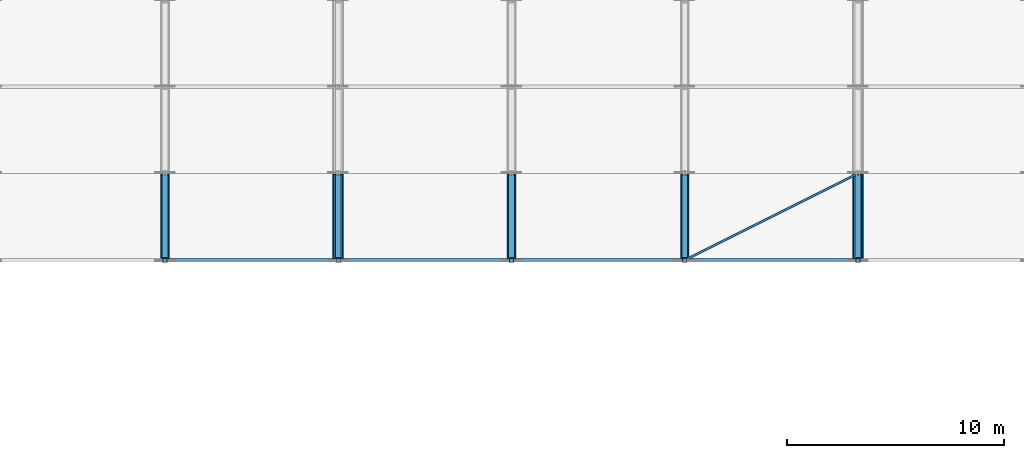
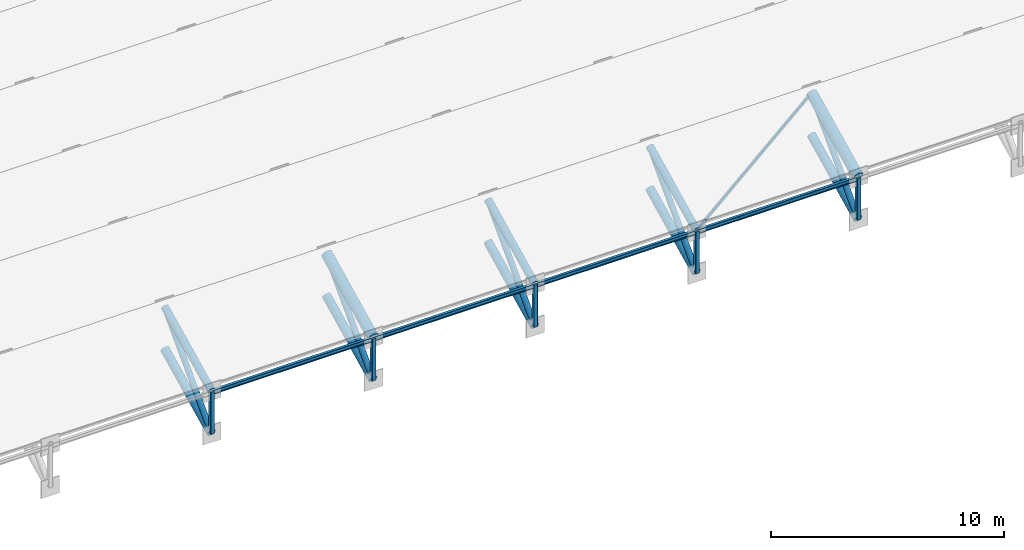
# One storey, part 5 of 98: 25 members.
"""IFC4 building model written with IfcOpenShell, lengths in metres."""

from ifc_helpers import new_model, si_unit, direction, frame, origin, origin_2d, place, context, subcontext, project, spatial, hollow_rectangle, hollow_circle, i_section, extrude, material, material_profile, profile_set, type_object, element, save


model = new_model("IFC4")

# Units and contexts
model_context = context("Model", 3, precision=1e-05, world=origin(), true_north=direction((0.0, 1.0)))
body_context = subcontext(model_context, "Body", "Model", "MODEL_VIEW")
ifc_project = project(units=[si_unit("LENGTHUNIT", "METRE"), si_unit("AREAUNIT", "SQUARE_METRE"), si_unit("VOLUMEUNIT", "CUBIC_METRE"), si_unit("PLANEANGLEUNIT", "RADIAN"), si_unit("MASSUNIT", "GRAM", prefix="KILO")], contexts=[model_context])

# Site, building, storey
site_placement = place(None, origin())
site = spatial("IfcSite", under=ifc_project, at=site_placement, CompositionType="ELEMENT")
building_placement = place(site_placement, origin())
building = spatial("IfcBuilding", under=site, at=building_placement, Name="Tlacozan Convention Centre", CompositionType="ELEMENT")
storey_placement = place(building_placement, frame((0.0, 0.0, 25.800048828125)))
storey = spatial("IfcBuildingStorey", under=building, at=storey_placement, Name="Roof", CompositionType="ELEMENT", Elevation=25.800048828125)

# Members
ifc_material_1 = material(Name="Steel ASTM A500 Grade C", Category="steel")
ifc_material_profile_1 = material_profile(ifc_material_1, hollow_circle(Radius=0.203125, WallThickness=0.015869140625, at=origin_2d()), Name="OC 406.4x15.9")
ifc_profile_set_1 = profile_set([ifc_material_profile_1], Name="Steel ASTM A500 Grade C")
member_type_1 = type_object("IfcMemberType", Name="Arch Bottom Chord OC 406.4x15.9", PredefinedType="CHORD", material=ifc_profile_set_1)
for number, where, z_axis, x_axis, name in (
    (1, (64.0, 62.0, -12.800048828125), (0.0, 0.897300183135, 0.441420866459), (-1.0, 0.0, 0.0), "V2A Roof Truss 9 Bottom Chord 1"),
    (2, (72.0, 62.0, -12.800048828125), (0.0, 0.897300183135, 0.441420866459), (-1.0, 0.0, 0.0), "V2A Roof Truss 10 Bottom Chord 1"),
    (3, (80.0, 62.0, -12.800048828125), (0.0, 0.897300183135, 0.441420866459), (-1.0, 0.0, 0.0), "V2A Roof Truss 11 Bottom Chord 1"),
    (4, (88.0, 62.0, -12.800048828125), (0.0, 0.897300183135, 0.441420866459), (-1.0, 0.0, 0.0), "V2A Roof Truss 12 Bottom Chord 1"),
    (5, (96.0, 62.0, -12.800048828125), (0.0, 0.897300183135, 0.441420866459), (-1.0, 0.0, 0.0), "V2A Roof Truss 13 Bottom Chord 1"),
):
    element("IfcMember", number, at=place(storey_placement, frame(where, z_axis=z_axis, x_axis=x_axis)), inside=storey, type_object=member_type_1, Name=name, PredefinedType="CHORD", context=body_context, shape_type="SweptSolid", body=[
        extrude(hollow_circle(Radius=0.203125, WallThickness=0.015869140625, at=origin_2d()), origin(), (0.0, 0.0, 1.0), 4.457763671875),
    ])
ifc_material_profile_2 = material_profile(ifc_material_1, hollow_circle(Radius=0.25390625, WallThickness=0.01904296875, at=origin_2d()), Name="OC 508.0x19.1")
ifc_profile_set_2 = profile_set([ifc_material_profile_2], Name="Steel ASTM A500 Grade C")
member_type_2 = type_object("IfcMemberType", Name="Arch Top Chord OC 508x19.1", PredefinedType="CHORD", material=ifc_profile_set_2)
for number, where, z_axis, x_axis, name in (
    (6, (72.0, 62.0, -10.60009765625), (0.0, 0.897300183135, 0.441420866459), (-1.0, 0.0, 0.0), "V2A Roof Truss 10 Top Chord 1"),
    (7, (96.0, 62.0, -10.60009765625), (0.0, 0.897300183135, 0.441420866459), (-1.0, 0.0, 0.0), "V2A Roof Truss 13 Top Chord 1"),
):
    element("IfcMember", number, at=place(storey_placement, frame(where, z_axis=z_axis, x_axis=x_axis)), inside=storey, type_object=member_type_2, Name=name, PredefinedType="CHORD", context=body_context, shape_type="SweptSolid", body=[
        extrude(hollow_circle(Radius=0.25390625, WallThickness=0.01904296875, at=origin_2d()), origin(), (0.0, 0.0, 1.0), 4.457763671875),
    ])
ifc_material_profile_3 = material_profile(ifc_material_1, hollow_circle(Radius=0.136474609375, WallThickness=0.0126953125, at=origin_2d()), Name="OC 273.1x12.7")
ifc_profile_set_3 = profile_set([ifc_material_profile_3], Name="Steel ASTM A500 Grade C")
member_type_3 = type_object("IfcMemberType", Name="Arch Web Diagonal OC 273.1x12.7", PredefinedType="BRACE", material=ifc_profile_set_3)
for number, where, z_axis, x_axis, name in (
    (8, (64.0, 62.0, -12.800048828125), (0.0, 0.69244032859, 0.721475149497), (-1.0, 0.0, 0.0), "V2A Roof Truss 9 Web Diagonal 1"),
    (9, (72.0, 62.0, -12.800048828125), (0.0, 0.69244032859, 0.721475149497), (-1.0, 0.0, 0.0), "V2A Roof Truss 10 Web Diagonal 1"),
    (10, (80.0, 62.0, -12.800048828125), (0.0, 0.69244032859, 0.721475149497), (-1.0, 0.0, 0.0), "V2A Roof Truss 11 Web Diagonal 1"),
    (11, (88.0, 62.0, -12.800048828125), (0.0, 0.69244032859, 0.721475149497), (-1.0, 0.0, 0.0), "V2A Roof Truss 12 Web Diagonal 1"),
    (12, (96.0, 62.0, -12.800048828125), (0.0, 0.69244032859, 0.721475149497), (-1.0, 0.0, 0.0), "V2A Roof Truss 13 Web Diagonal 1"),
):
    element("IfcMember", number, at=place(storey_placement, frame(where, z_axis=z_axis, x_axis=x_axis)), inside=storey, type_object=member_type_3, Name=name, PredefinedType="BRACE", context=body_context, shape_type="SweptSolid", body=[
        extrude(hollow_circle(Radius=0.136474609375, WallThickness=0.0126953125, at=origin_2d()), origin(), (0.0, 0.0, 1.0), 5.776611328125),
    ])
ifc_material_profile_4 = material_profile(ifc_material_1, hollow_rectangle(XDim=0.203125, YDim=0.203125, WallThickness=0.0126953125, InnerFilletRadius=0.0126953125, OuterFilletRadius=0.02490234375, at=origin_2d()), Name="OR 203x203x12.7")
ifc_profile_set_4 = profile_set([ifc_material_profile_4], Name="Steel ASTM A500 Grade C")
member_type_4 = type_object("IfcMemberType", Name="Arch Web Strut OR 203x203x12.7", PredefinedType="STRUT", material=ifc_profile_set_4)
for number, where, z_axis, x_axis, name in (
    (13, (64.0, 62.0, -12.800048828125), (0.0, 0.0, 1.0), (1.0, 0.0, 0.0), "V2A Roof Truss 9 Vertical Strut 1"),
    (14, (72.0, 62.0, -12.800048828125), (0.0, 0.0, 1.0), (1.0, 0.0, 0.0), "V2A Roof Truss 10 Vertical Strut 1"),
    (15, (80.0, 62.0, -12.800048828125), (0.0, 0.0, 1.0), (1.0, 0.0, 0.0), "V2A Roof Truss 11 Vertical Strut 1"),
    (16, (88.0, 62.0, -12.800048828125), (0.0, 0.0, 1.0), (1.0, 0.0, 0.0), "V2A Roof Truss 12 Vertical Strut 1"),
    (17, (96.0, 62.0, -12.800048828125), (0.0, 0.0, 1.0), (1.0, 0.0, 0.0), "V2A Roof Truss 13 Vertical Strut 1"),
):
    element("IfcMember", number, at=place(storey_placement, frame(where, z_axis=z_axis, x_axis=x_axis)), inside=storey, type_object=member_type_4, Name=name, PredefinedType="STRUT", context=body_context, shape_type="SweptSolid", body=[
        extrude(hollow_rectangle(XDim=0.203125, YDim=0.203125, WallThickness=0.0126953125, InnerFilletRadius=0.0126953125, OuterFilletRadius=0.02490234375, at=origin_2d()), origin(), (0.0, 0.0, 1.0), 2.199951171875),
    ])
ifc_material_profile_5 = material_profile(ifc_material_1, hollow_rectangle(XDim=0.1015625, YDim=0.15234375, WallThickness=0.009521484375, InnerFilletRadius=0.009521484375, OuterFilletRadius=0.01904296875, at=origin_2d()), Name="OR 152x102x9.5")
ifc_profile_set_5 = profile_set([ifc_material_profile_5], Name="Steel ASTM A500 Grade C")
member_type_5 = type_object("IfcMemberType", Name="Roof Plan Brace OR 152x102x9.5", PredefinedType="BRACE", material=ifc_profile_set_5)
member_placement = place(storey_placement, frame((88.0, 62.0, -10.60009765625), z_axis=(0.873536677994, 0.436768338997, 0.214865283955), x_axis=(-0.4472135955, 0.894427191, 0.0)))
element("IfcMember", 18, at=member_placement, inside=storey, type_object=member_type_5, Name="V2A Roof Truss Plan Brace 12.1", PredefinedType="BRACE", context=body_context, shape_type="SweptSolid", body=[
    extrude(hollow_rectangle(XDim=0.1015625, YDim=0.15234375, WallThickness=0.009521484375, InnerFilletRadius=0.009521484375, OuterFilletRadius=0.01904296875, at=origin_2d()), origin(), (0.0, 0.0, 1.0), 9.158203125),
])
ifc_material_profile_6 = material_profile(ifc_material_1, hollow_circle(Radius=0.177734375, WallThickness=0.015869140625, at=origin_2d()), Name="OC 355.6x15.9")
ifc_profile_set_6 = profile_set([ifc_material_profile_6], Name="Steel ASTM A500 Grade C")
member_type_6 = type_object("IfcMemberType", Name="Secondary Arch Chord OC 355.6x15.9", PredefinedType="CHORD", material=ifc_profile_set_6)
for number, where, z_axis, x_axis, name in (
    (19, (64.0, 62.0, -10.60009765625), (0.0, 0.897300183135, 0.441420866459), (-1.0, 0.0, 0.0), "V2A Roof Truss 9 Top Chord 1"),
    (20, (80.0, 62.0, -10.60009765625), (0.0, 0.897300183135, 0.441420866459), (-1.0, 0.0, 0.0), "V2A Roof Truss 11 Top Chord 1"),
    (21, (88.0, 62.0, -10.60009765625), (0.0, 0.897300183135, 0.441420866459), (-1.0, 0.0, 0.0), "V2A Roof Truss 12 Top Chord 1"),
):
    element("IfcMember", number, at=place(storey_placement, frame(where, z_axis=z_axis, x_axis=x_axis)), inside=storey, type_object=member_type_6, Name=name, PredefinedType="CHORD", context=body_context, shape_type="SweptSolid", body=[
        extrude(hollow_circle(Radius=0.177734375, WallThickness=0.015869140625, at=origin_2d()), origin(), (0.0, 0.0, 1.0), 4.457763671875),
    ])
ifc_material_2 = material(Name="Steel ASTM A992 Grade 50", Category="steel")
ifc_material_profile_7 = material_profile(ifc_material_2, i_section(OverallWidth=0.134033203125, OverallDepth=0.2099609375, WebThickness=0.00634765625, FlangeThickness=0.01025390625, FilletRadius=0.008056640625, at=origin_2d()), Name="IR 203x31.3")
ifc_profile_set_7 = profile_set([ifc_material_profile_7], Name="Steel ASTM A992 Grade 50")
member_type_7 = type_object("IfcMemberType", Name="Secondary Eave Purlin IR 203x31.3", PredefinedType="PURLIN", material=ifc_profile_set_7)
for number, where, z_axis, x_axis, name in (
    (22, (64.0, 62.0, -10.6650390625), (1.0, 0.0, 0.0), (0.0, 1.0, 0.0), "V2A Roof Truss Purlin 9.1"),
    (23, (72.0, 62.0, -10.6650390625), (1.0, 0.0, 0.0), (0.0, 1.0, 0.0), "V2A Roof Truss Purlin 10.1"),
    (24, (80.0, 62.0, -10.6650390625), (1.0, 0.0, 0.0), (0.0, 1.0, 0.0), "V2A Roof Truss Purlin 11.1"),
    (25, (88.0, 62.0, -10.6650390625), (1.0, 0.0, 0.0), (0.0, 1.0, 0.0), "V2A Roof Truss Purlin 12.1"),
):
    element("IfcMember", number, at=place(storey_placement, frame(where, z_axis=z_axis, x_axis=x_axis)), inside=storey, type_object=member_type_7, Name=name, PredefinedType="PURLIN", context=body_context, shape_type="SweptSolid", body=[
        extrude(i_section(OverallWidth=0.134033203125, OverallDepth=0.2099609375, WebThickness=0.00634765625, FlangeThickness=0.01025390625, FilletRadius=0.008056640625, at=origin_2d()), origin(), (0.0, 0.0, 1.0), 8.0),
    ])

save(model, "model.ifc")
